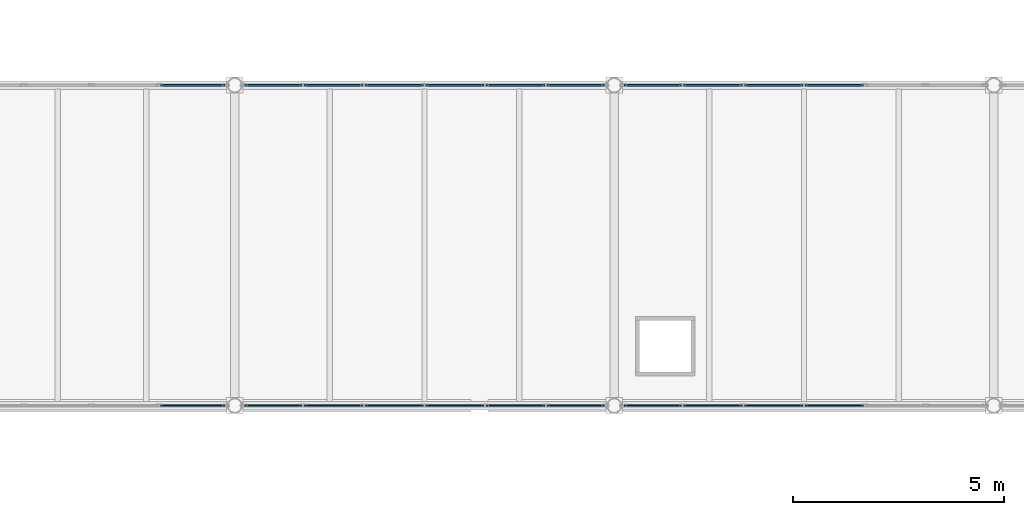
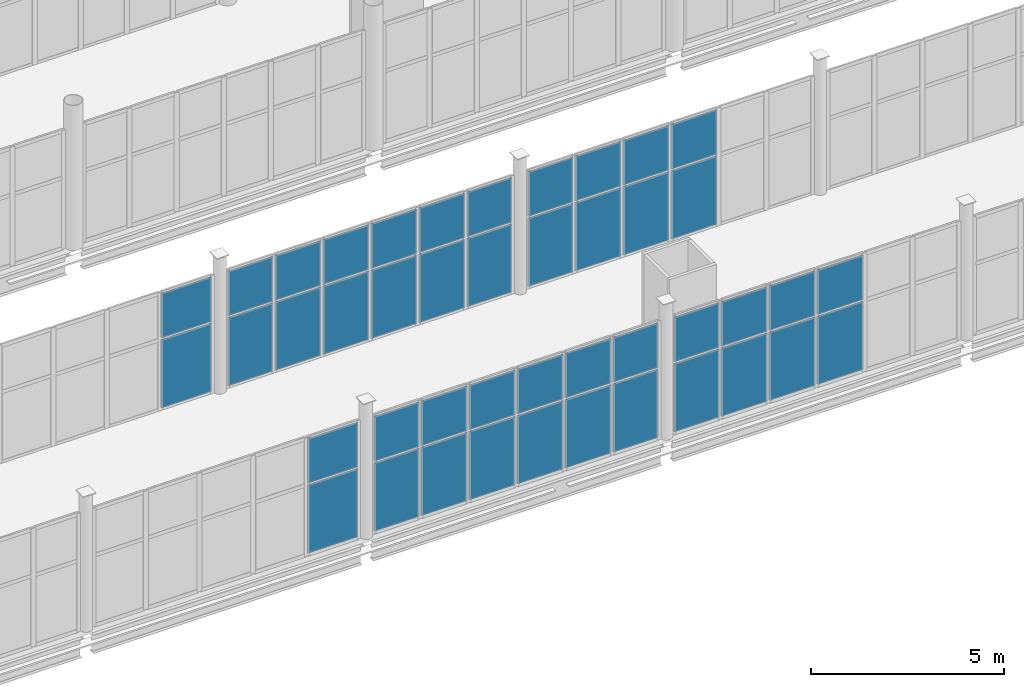
# One storey, part 132 of 172: 44 plates, 6 elements without a shape of their own.
"""IFC4 building model written with IfcOpenShell, lengths in metres."""

from ifc_helpers import new_model, si_unit, direction, frame, origin, origin_2d, place, context, subcontext, project, spatial, rectangle, extrude, material, layer, layer_set, type_object, element, aggregate, save


model = new_model("IFC4")

# Units and contexts
model_context = context("Model", 3, precision=1e-05, world=origin(), true_north=direction((0.0, 1.0)))
body_context = subcontext(model_context, "Body", "Model", "MODEL_VIEW")
ifc_project = project(units=[si_unit("LENGTHUNIT", "METRE"), si_unit("AREAUNIT", "SQUARE_METRE"), si_unit("VOLUMEUNIT", "CUBIC_METRE"), si_unit("PLANEANGLEUNIT", "RADIAN"), si_unit("MASSUNIT", "GRAM", prefix="KILO")], contexts=[model_context])

# Site, building, storey
site_placement = place(None, origin())
site = spatial("IfcSite", under=ifc_project, at=site_placement, CompositionType="ELEMENT")
building_placement = place(site_placement, origin())
building = spatial("IfcBuilding", under=site, at=building_placement, Name="Shengluoqiao Park Theatre", CompositionType="ELEMENT")
storey_placement = place(building_placement, frame((0.0, 0.0, 5.39990234375)))
storey = spatial("IfcBuildingStorey", under=building, at=storey_placement, Name="L01", CompositionType="ELEMENT", Elevation=5.39990234375)

# Curtain wall, plates
ifc_material_1 = material(Name="Aluminium 6063-T6", Category="aluminium")
curtain_wall_type = type_object("IfcCurtainWallType", Name="ENV-CW-BRIDGE", PredefinedType="NOTDEFINED", material=ifc_material_1)
curtain_wall_1_placement = place(storey_placement, origin())
curtain_wall_1 = element("IfcCurtainWall", 1, at=curtain_wall_1_placement, inside=storey, type_object=curtain_wall_type, Name="L01 Curtain Wall CWX-L01-0130", PredefinedType="NOTDEFINED")
ifc_material_2 = material(Name="Insulated glass", Category="glass")
ifc_layer = layer(ifc_material_2, 0.0380859375, Name="Insulated glass")
ifc_layer_set = layer_set([ifc_layer], Name="Insulated glass")
plate_type = type_object("IfcPlateType", Name="ENV-GLZ-GL-38", PredefinedType="CURTAIN_PANEL", material=ifc_layer_set)
plate_1_placement = place(storey_placement, frame((111.3994140625, 53.199951171875, 0.06005859375), z_axis=(0.0, 0.0, 1.0), x_axis=(1.0, 0.0, 0.0)))
plate_1 = element("IfcPlate", 2, at=plate_1_placement, type_object=plate_type, Name="CW-03 panel 5.1", PredefinedType="CURTAIN_PANEL", context=body_context, shape_type="SweptSolid", body=[
    extrude(rectangle(XDim=1.51708984375, YDim=0.0380859375, at=origin_2d()), origin(), (0.0, 0.0, 1.0), 2.160888671875),
])
plate_2_placement = place(storey_placement, frame((111.3994140625, 53.199951171875, 2.28125), z_axis=(0.0, 0.0, 1.0), x_axis=(1.0, 0.0, 0.0)))
plate_2 = element("IfcPlate", 3, at=plate_2_placement, type_object=plate_type, Name="CW-03 panel 5.2", PredefinedType="CURTAIN_PANEL", context=body_context, shape_type="SweptSolid", body=[
    extrude(rectangle(XDim=1.51708984375, YDim=0.0380859375, at=origin_2d()), origin(), (0.0, 0.0, 1.0), 1.410888671875),
])
aggregate(curtain_wall_1, [plate_1, plate_2])

curtain_wall_2_placement = place(storey_placement, origin())
curtain_wall_2 = element("IfcCurtainWall", 4, at=curtain_wall_2_placement, inside=storey, type_object=curtain_wall_type, Name="L01 Curtain Wall CWX-L01-0131", PredefinedType="NOTDEFINED")
plate_3_placement = place(storey_placement, frame((113.316650390625, 53.199951171875, 0.06005859375), z_axis=(0.0, 0.0, 1.0), x_axis=(1.0, 0.0, 0.0)))
plate_3 = element("IfcPlate", 5, at=plate_3_placement, type_object=plate_type, Name="CW-03 panel 1.1", PredefinedType="CURTAIN_PANEL", context=body_context, shape_type="SweptSolid", body=[
    extrude(rectangle(XDim=1.349365234375, YDim=0.0380859375, at=origin_2d()), origin(), (0.0, 0.0, 1.0), 2.160888671875),
])
plate_4_placement = place(storey_placement, frame((113.316650390625, 53.199951171875, 2.28125), z_axis=(0.0, 0.0, 1.0), x_axis=(1.0, 0.0, 0.0)))
plate_4 = element("IfcPlate", 6, at=plate_4_placement, type_object=plate_type, Name="CW-03 panel 1.2", PredefinedType="CURTAIN_PANEL", context=body_context, shape_type="SweptSolid", body=[
    extrude(rectangle(XDim=1.349365234375, YDim=0.0380859375, at=origin_2d()), origin(), (0.0, 0.0, 1.0), 1.410888671875),
])
plate_5_placement = place(storey_placement, frame((114.740966796875, 53.199951171875, 0.06005859375), z_axis=(0.0, 0.0, 1.0), x_axis=(1.0, 0.0, 0.0)))
plate_5 = element("IfcPlate", 7, at=plate_5_placement, type_object=plate_type, Name="CW-03 panel 2.1", PredefinedType="CURTAIN_PANEL", context=body_context, shape_type="SweptSolid", body=[
    extrude(rectangle(XDim=1.37939453125, YDim=0.0380859375, at=origin_2d()), origin(), (0.0, 0.0, 1.0), 2.160888671875),
])
plate_6_placement = place(storey_placement, frame((114.740966796875, 53.199951171875, 2.28125), z_axis=(0.0, 0.0, 1.0), x_axis=(1.0, 0.0, 0.0)))
plate_6 = element("IfcPlate", 8, at=plate_6_placement, type_object=plate_type, Name="CW-03 panel 2.2", PredefinedType="CURTAIN_PANEL", context=body_context, shape_type="SweptSolid", body=[
    extrude(rectangle(XDim=1.37939453125, YDim=0.0380859375, at=origin_2d()), origin(), (0.0, 0.0, 1.0), 1.410888671875),
])
plate_7_placement = place(storey_placement, frame((116.180419921875, 53.199951171875, 0.06005859375), z_axis=(0.0, 0.0, 1.0), x_axis=(1.0, 0.0, 0.0)))
plate_7 = element("IfcPlate", 9, at=plate_7_placement, type_object=plate_type, Name="CW-03 panel 3.1", PredefinedType="CURTAIN_PANEL", context=body_context, shape_type="SweptSolid", body=[
    extrude(rectangle(XDim=1.37939453125, YDim=0.0380859375, at=origin_2d()), origin(), (0.0, 0.0, 1.0), 2.160888671875),
])
plate_8_placement = place(storey_placement, frame((116.180419921875, 53.199951171875, 2.28125), z_axis=(0.0, 0.0, 1.0), x_axis=(1.0, 0.0, 0.0)))
plate_8 = element("IfcPlate", 10, at=plate_8_placement, type_object=plate_type, Name="CW-03 panel 3.2", PredefinedType="CURTAIN_PANEL", context=body_context, shape_type="SweptSolid", body=[
    extrude(rectangle(XDim=1.37939453125, YDim=0.0380859375, at=origin_2d()), origin(), (0.0, 0.0, 1.0), 1.410888671875),
])
plate_9_placement = place(storey_placement, frame((117.61962890625, 53.199951171875, 0.06005859375), z_axis=(0.0, 0.0, 1.0), x_axis=(1.0, 0.0, 0.0)))
plate_9 = element("IfcPlate", 11, at=plate_9_placement, type_object=plate_type, Name="CW-03 panel 4.1", PredefinedType="CURTAIN_PANEL", context=body_context, shape_type="SweptSolid", body=[
    extrude(rectangle(XDim=1.37939453125, YDim=0.0380859375, at=origin_2d()), origin(), (0.0, 0.0, 1.0), 2.160888671875),
])
plate_10_placement = place(storey_placement, frame((117.61962890625, 53.199951171875, 2.28125), z_axis=(0.0, 0.0, 1.0), x_axis=(1.0, 0.0, 0.0)))
plate_10 = element("IfcPlate", 12, at=plate_10_placement, type_object=plate_type, Name="CW-03 panel 4.2", PredefinedType="CURTAIN_PANEL", context=body_context, shape_type="SweptSolid", body=[
    extrude(rectangle(XDim=1.37939453125, YDim=0.0380859375, at=origin_2d()), origin(), (0.0, 0.0, 1.0), 1.410888671875),
])
plate_11_placement = place(storey_placement, frame((119.05908203125, 53.199951171875, 0.06005859375), z_axis=(0.0, 0.0, 1.0), x_axis=(1.0, 0.0, 0.0)))
plate_11 = element("IfcPlate", 13, at=plate_11_placement, type_object=plate_type, Name="CW-03 panel 5.1", PredefinedType="CURTAIN_PANEL", context=body_context, shape_type="SweptSolid", body=[
    extrude(rectangle(XDim=1.37939453125, YDim=0.0380859375, at=origin_2d()), origin(), (0.0, 0.0, 1.0), 2.160888671875),
])
plate_12_placement = place(storey_placement, frame((119.05908203125, 53.199951171875, 2.28125), z_axis=(0.0, 0.0, 1.0), x_axis=(1.0, 0.0, 0.0)))
plate_12 = element("IfcPlate", 14, at=plate_12_placement, type_object=plate_type, Name="CW-03 panel 5.2", PredefinedType="CURTAIN_PANEL", context=body_context, shape_type="SweptSolid", body=[
    extrude(rectangle(XDim=1.37939453125, YDim=0.0380859375, at=origin_2d()), origin(), (0.0, 0.0, 1.0), 1.410888671875),
])
plate_13_placement = place(storey_placement, frame((120.4833984375, 53.199951171875, 0.06005859375), z_axis=(0.0, 0.0, 1.0), x_axis=(1.0, 0.0, 0.0)))
plate_13 = element("IfcPlate", 15, at=plate_13_placement, type_object=plate_type, Name="CW-03 panel 6.1", PredefinedType="CURTAIN_PANEL", context=body_context, shape_type="SweptSolid", body=[
    extrude(rectangle(XDim=1.349365234375, YDim=0.0380859375, at=origin_2d()), origin(), (0.0, 0.0, 1.0), 2.160888671875),
])
plate_14_placement = place(storey_placement, frame((120.4833984375, 53.199951171875, 2.28125), z_axis=(0.0, 0.0, 1.0), x_axis=(1.0, 0.0, 0.0)))
plate_14 = element("IfcPlate", 16, at=plate_14_placement, type_object=plate_type, Name="CW-03 panel 6.2", PredefinedType="CURTAIN_PANEL", context=body_context, shape_type="SweptSolid", body=[
    extrude(rectangle(XDim=1.349365234375, YDim=0.0380859375, at=origin_2d()), origin(), (0.0, 0.0, 1.0), 1.410888671875),
])
aggregate(curtain_wall_2, [plate_3, plate_4, plate_5, plate_6, plate_7, plate_8, plate_9, plate_10, plate_11, plate_12, plate_13, plate_14])

curtain_wall_3_placement = place(storey_placement, origin())
curtain_wall_3 = element("IfcCurtainWall", 17, at=curtain_wall_3_placement, inside=storey, type_object=curtain_wall_type, Name="L01 Curtain Wall CWX-L01-0132", PredefinedType="NOTDEFINED")
plate_15_placement = place(storey_placement, frame((122.316650390625, 53.199951171875, 0.06005859375), z_axis=(0.0, 0.0, 1.0), x_axis=(1.0, 0.0, 0.0)))
plate_15 = element("IfcPlate", 18, at=plate_15_placement, type_object=plate_type, Name="CW-03 panel 1.1", PredefinedType="CURTAIN_PANEL", context=body_context, shape_type="SweptSolid", body=[
    extrude(rectangle(XDim=1.349365234375, YDim=0.0380859375, at=origin_2d()), origin(), (0.0, 0.0, 1.0), 2.160888671875),
])
plate_16_placement = place(storey_placement, frame((122.316650390625, 53.199951171875, 2.28125), z_axis=(0.0, 0.0, 1.0), x_axis=(1.0, 0.0, 0.0)))
plate_16 = element("IfcPlate", 19, at=plate_16_placement, type_object=plate_type, Name="CW-03 panel 1.2", PredefinedType="CURTAIN_PANEL", context=body_context, shape_type="SweptSolid", body=[
    extrude(rectangle(XDim=1.349365234375, YDim=0.0380859375, at=origin_2d()), origin(), (0.0, 0.0, 1.0), 1.410888671875),
])
plate_17_placement = place(storey_placement, frame((123.740966796875, 53.199951171875, 0.06005859375), z_axis=(0.0, 0.0, 1.0), x_axis=(1.0, 0.0, 0.0)))
plate_17 = element("IfcPlate", 20, at=plate_17_placement, type_object=plate_type, Name="CW-03 panel 2.1", PredefinedType="CURTAIN_PANEL", context=body_context, shape_type="SweptSolid", body=[
    extrude(rectangle(XDim=1.37939453125, YDim=0.0380859375, at=origin_2d()), origin(), (0.0, 0.0, 1.0), 2.160888671875),
])
plate_18_placement = place(storey_placement, frame((123.740966796875, 53.199951171875, 2.28125), z_axis=(0.0, 0.0, 1.0), x_axis=(1.0, 0.0, 0.0)))
plate_18 = element("IfcPlate", 21, at=plate_18_placement, type_object=plate_type, Name="CW-03 panel 2.2", PredefinedType="CURTAIN_PANEL", context=body_context, shape_type="SweptSolid", body=[
    extrude(rectangle(XDim=1.37939453125, YDim=0.0380859375, at=origin_2d()), origin(), (0.0, 0.0, 1.0), 1.410888671875),
])
plate_19_placement = place(storey_placement, frame((125.180419921875, 53.199951171875, 0.06005859375), z_axis=(0.0, 0.0, 1.0), x_axis=(1.0, 0.0, 0.0)))
plate_19 = element("IfcPlate", 22, at=plate_19_placement, type_object=plate_type, Name="CW-03 panel 3.1", PredefinedType="CURTAIN_PANEL", context=body_context, shape_type="SweptSolid", body=[
    extrude(rectangle(XDim=1.37939453125, YDim=0.0380859375, at=origin_2d()), origin(), (0.0, 0.0, 1.0), 2.160888671875),
])
plate_20_placement = place(storey_placement, frame((125.180419921875, 53.199951171875, 2.28125), z_axis=(0.0, 0.0, 1.0), x_axis=(1.0, 0.0, 0.0)))
plate_20 = element("IfcPlate", 23, at=plate_20_placement, type_object=plate_type, Name="CW-03 panel 3.2", PredefinedType="CURTAIN_PANEL", context=body_context, shape_type="SweptSolid", body=[
    extrude(rectangle(XDim=1.37939453125, YDim=0.0380859375, at=origin_2d()), origin(), (0.0, 0.0, 1.0), 1.410888671875),
])
plate_21_placement = place(storey_placement, frame((126.61962890625, 53.199951171875, 0.06005859375), z_axis=(0.0, 0.0, 1.0), x_axis=(1.0, 0.0, 0.0)))
plate_21 = element("IfcPlate", 24, at=plate_21_placement, type_object=plate_type, Name="CW-03 panel 4.1", PredefinedType="CURTAIN_PANEL", context=body_context, shape_type="SweptSolid", body=[
    extrude(rectangle(XDim=1.37939453125, YDim=0.0380859375, at=origin_2d()), origin(), (0.0, 0.0, 1.0), 2.160888671875),
])
plate_22_placement = place(storey_placement, frame((126.61962890625, 53.199951171875, 2.28125), z_axis=(0.0, 0.0, 1.0), x_axis=(1.0, 0.0, 0.0)))
plate_22 = element("IfcPlate", 25, at=plate_22_placement, type_object=plate_type, Name="CW-03 panel 4.2", PredefinedType="CURTAIN_PANEL", context=body_context, shape_type="SweptSolid", body=[
    extrude(rectangle(XDim=1.37939453125, YDim=0.0380859375, at=origin_2d()), origin(), (0.0, 0.0, 1.0), 1.410888671875),
])
aggregate(curtain_wall_3, [plate_15, plate_16, plate_17, plate_18, plate_19, plate_20, plate_21, plate_22])

curtain_wall_4_placement = place(storey_placement, origin())
curtain_wall_4 = element("IfcCurtainWall", 26, at=curtain_wall_4_placement, inside=storey, type_object=curtain_wall_type, Name="L01 Curtain Wall CWX-L01-0143", PredefinedType="NOTDEFINED")
plate_23_placement = place(storey_placement, frame((111.3994140625, 60.800048828125, 0.06005859375), z_axis=(0.0, 0.0, 1.0), x_axis=(1.0, 0.0, 0.0)))
plate_23 = element("IfcPlate", 27, at=plate_23_placement, type_object=plate_type, Name="CW-03 panel 5.1", PredefinedType="CURTAIN_PANEL", context=body_context, shape_type="SweptSolid", body=[
    extrude(rectangle(XDim=1.51708984375, YDim=0.0380859375, at=origin_2d()), origin(), (0.0, 0.0, 1.0), 2.160888671875),
])
plate_24_placement = place(storey_placement, frame((111.3994140625, 60.800048828125, 2.28125), z_axis=(0.0, 0.0, 1.0), x_axis=(1.0, 0.0, 0.0)))
plate_24 = element("IfcPlate", 28, at=plate_24_placement, type_object=plate_type, Name="CW-03 panel 5.2", PredefinedType="CURTAIN_PANEL", context=body_context, shape_type="SweptSolid", body=[
    extrude(rectangle(XDim=1.51708984375, YDim=0.0380859375, at=origin_2d()), origin(), (0.0, 0.0, 1.0), 1.410888671875),
])
aggregate(curtain_wall_4, [plate_23, plate_24])

curtain_wall_5_placement = place(storey_placement, origin())
curtain_wall_5 = element("IfcCurtainWall", 29, at=curtain_wall_5_placement, inside=storey, type_object=curtain_wall_type, Name="L01 Curtain Wall CWX-L01-0144", PredefinedType="NOTDEFINED")
plate_25_placement = place(storey_placement, frame((113.316650390625, 60.800048828125, 0.06005859375), z_axis=(0.0, 0.0, 1.0), x_axis=(1.0, 0.0, 0.0)))
plate_25 = element("IfcPlate", 30, at=plate_25_placement, type_object=plate_type, Name="CW-03 panel 1.1", PredefinedType="CURTAIN_PANEL", context=body_context, shape_type="SweptSolid", body=[
    extrude(rectangle(XDim=1.349365234375, YDim=0.0380859375, at=origin_2d()), origin(), (0.0, 0.0, 1.0), 2.160888671875),
])
plate_26_placement = place(storey_placement, frame((113.316650390625, 60.800048828125, 2.28125), z_axis=(0.0, 0.0, 1.0), x_axis=(1.0, 0.0, 0.0)))
plate_26 = element("IfcPlate", 31, at=plate_26_placement, type_object=plate_type, Name="CW-03 panel 1.2", PredefinedType="CURTAIN_PANEL", context=body_context, shape_type="SweptSolid", body=[
    extrude(rectangle(XDim=1.349365234375, YDim=0.0380859375, at=origin_2d()), origin(), (0.0, 0.0, 1.0), 1.410888671875),
])
plate_27_placement = place(storey_placement, frame((114.740966796875, 60.800048828125, 0.06005859375), z_axis=(0.0, 0.0, 1.0), x_axis=(1.0, 0.0, 0.0)))
plate_27 = element("IfcPlate", 32, at=plate_27_placement, type_object=plate_type, Name="CW-03 panel 2.1", PredefinedType="CURTAIN_PANEL", context=body_context, shape_type="SweptSolid", body=[
    extrude(rectangle(XDim=1.37939453125, YDim=0.0380859375, at=origin_2d()), origin(), (0.0, 0.0, 1.0), 2.160888671875),
])
plate_28_placement = place(storey_placement, frame((114.740966796875, 60.800048828125, 2.28125), z_axis=(0.0, 0.0, 1.0), x_axis=(1.0, 0.0, 0.0)))
plate_28 = element("IfcPlate", 33, at=plate_28_placement, type_object=plate_type, Name="CW-03 panel 2.2", PredefinedType="CURTAIN_PANEL", context=body_context, shape_type="SweptSolid", body=[
    extrude(rectangle(XDim=1.37939453125, YDim=0.0380859375, at=origin_2d()), origin(), (0.0, 0.0, 1.0), 1.410888671875),
])
plate_29_placement = place(storey_placement, frame((116.180419921875, 60.800048828125, 0.06005859375), z_axis=(0.0, 0.0, 1.0), x_axis=(1.0, 0.0, 0.0)))
plate_29 = element("IfcPlate", 34, at=plate_29_placement, type_object=plate_type, Name="CW-03 panel 3.1", PredefinedType="CURTAIN_PANEL", context=body_context, shape_type="SweptSolid", body=[
    extrude(rectangle(XDim=1.37939453125, YDim=0.0380859375, at=origin_2d()), origin(), (0.0, 0.0, 1.0), 2.160888671875),
])
plate_30_placement = place(storey_placement, frame((116.180419921875, 60.800048828125, 2.28125), z_axis=(0.0, 0.0, 1.0), x_axis=(1.0, 0.0, 0.0)))
plate_30 = element("IfcPlate", 35, at=plate_30_placement, type_object=plate_type, Name="CW-03 panel 3.2", PredefinedType="CURTAIN_PANEL", context=body_context, shape_type="SweptSolid", body=[
    extrude(rectangle(XDim=1.37939453125, YDim=0.0380859375, at=origin_2d()), origin(), (0.0, 0.0, 1.0), 1.410888671875),
])
plate_31_placement = place(storey_placement, frame((117.61962890625, 60.800048828125, 0.06005859375), z_axis=(0.0, 0.0, 1.0), x_axis=(1.0, 0.0, 0.0)))
plate_31 = element("IfcPlate", 36, at=plate_31_placement, type_object=plate_type, Name="CW-03 panel 4.1", PredefinedType="CURTAIN_PANEL", context=body_context, shape_type="SweptSolid", body=[
    extrude(rectangle(XDim=1.37939453125, YDim=0.0380859375, at=origin_2d()), origin(), (0.0, 0.0, 1.0), 2.160888671875),
])
plate_32_placement = place(storey_placement, frame((117.61962890625, 60.800048828125, 2.28125), z_axis=(0.0, 0.0, 1.0), x_axis=(1.0, 0.0, 0.0)))
plate_32 = element("IfcPlate", 37, at=plate_32_placement, type_object=plate_type, Name="CW-03 panel 4.2", PredefinedType="CURTAIN_PANEL", context=body_context, shape_type="SweptSolid", body=[
    extrude(rectangle(XDim=1.37939453125, YDim=0.0380859375, at=origin_2d()), origin(), (0.0, 0.0, 1.0), 1.410888671875),
])
plate_33_placement = place(storey_placement, frame((119.05908203125, 60.800048828125, 0.06005859375), z_axis=(0.0, 0.0, 1.0), x_axis=(1.0, 0.0, 0.0)))
plate_33 = element("IfcPlate", 38, at=plate_33_placement, type_object=plate_type, Name="CW-03 panel 5.1", PredefinedType="CURTAIN_PANEL", context=body_context, shape_type="SweptSolid", body=[
    extrude(rectangle(XDim=1.37939453125, YDim=0.0380859375, at=origin_2d()), origin(), (0.0, 0.0, 1.0), 2.160888671875),
])
plate_34_placement = place(storey_placement, frame((119.05908203125, 60.800048828125, 2.28125), z_axis=(0.0, 0.0, 1.0), x_axis=(1.0, 0.0, 0.0)))
plate_34 = element("IfcPlate", 39, at=plate_34_placement, type_object=plate_type, Name="CW-03 panel 5.2", PredefinedType="CURTAIN_PANEL", context=body_context, shape_type="SweptSolid", body=[
    extrude(rectangle(XDim=1.37939453125, YDim=0.0380859375, at=origin_2d()), origin(), (0.0, 0.0, 1.0), 1.410888671875),
])
plate_35_placement = place(storey_placement, frame((120.4833984375, 60.800048828125, 0.06005859375), z_axis=(0.0, 0.0, 1.0), x_axis=(1.0, 0.0, 0.0)))
plate_35 = element("IfcPlate", 40, at=plate_35_placement, type_object=plate_type, Name="CW-03 panel 6.1", PredefinedType="CURTAIN_PANEL", context=body_context, shape_type="SweptSolid", body=[
    extrude(rectangle(XDim=1.349365234375, YDim=0.0380859375, at=origin_2d()), origin(), (0.0, 0.0, 1.0), 2.160888671875),
])
plate_36_placement = place(storey_placement, frame((120.4833984375, 60.800048828125, 2.28125), z_axis=(0.0, 0.0, 1.0), x_axis=(1.0, 0.0, 0.0)))
plate_36 = element("IfcPlate", 41, at=plate_36_placement, type_object=plate_type, Name="CW-03 panel 6.2", PredefinedType="CURTAIN_PANEL", context=body_context, shape_type="SweptSolid", body=[
    extrude(rectangle(XDim=1.349365234375, YDim=0.0380859375, at=origin_2d()), origin(), (0.0, 0.0, 1.0), 1.410888671875),
])
aggregate(curtain_wall_5, [plate_25, plate_26, plate_27, plate_28, plate_29, plate_30, plate_31, plate_32, plate_33, plate_34, plate_35, plate_36])

curtain_wall_6_placement = place(storey_placement, origin())
curtain_wall_6 = element("IfcCurtainWall", 42, at=curtain_wall_6_placement, inside=storey, type_object=curtain_wall_type, Name="L01 Curtain Wall CWX-L01-0145", PredefinedType="NOTDEFINED")
plate_37_placement = place(storey_placement, frame((122.316650390625, 60.800048828125, 0.06005859375), z_axis=(0.0, 0.0, 1.0), x_axis=(1.0, 0.0, 0.0)))
plate_37 = element("IfcPlate", 43, at=plate_37_placement, type_object=plate_type, Name="CW-03 panel 1.1", PredefinedType="CURTAIN_PANEL", context=body_context, shape_type="SweptSolid", body=[
    extrude(rectangle(XDim=1.349365234375, YDim=0.0380859375, at=origin_2d()), origin(), (0.0, 0.0, 1.0), 2.160888671875),
])
plate_38_placement = place(storey_placement, frame((122.316650390625, 60.800048828125, 2.28125), z_axis=(0.0, 0.0, 1.0), x_axis=(1.0, 0.0, 0.0)))
plate_38 = element("IfcPlate", 44, at=plate_38_placement, type_object=plate_type, Name="CW-03 panel 1.2", PredefinedType="CURTAIN_PANEL", context=body_context, shape_type="SweptSolid", body=[
    extrude(rectangle(XDim=1.349365234375, YDim=0.0380859375, at=origin_2d()), origin(), (0.0, 0.0, 1.0), 1.410888671875),
])
plate_39_placement = place(storey_placement, frame((123.740966796875, 60.800048828125, 0.06005859375), z_axis=(0.0, 0.0, 1.0), x_axis=(1.0, 0.0, 0.0)))
plate_39 = element("IfcPlate", 45, at=plate_39_placement, type_object=plate_type, Name="CW-03 panel 2.1", PredefinedType="CURTAIN_PANEL", context=body_context, shape_type="SweptSolid", body=[
    extrude(rectangle(XDim=1.37939453125, YDim=0.0380859375, at=origin_2d()), origin(), (0.0, 0.0, 1.0), 2.160888671875),
])
plate_40_placement = place(storey_placement, frame((123.740966796875, 60.800048828125, 2.28125), z_axis=(0.0, 0.0, 1.0), x_axis=(1.0, 0.0, 0.0)))
plate_40 = element("IfcPlate", 46, at=plate_40_placement, type_object=plate_type, Name="CW-03 panel 2.2", PredefinedType="CURTAIN_PANEL", context=body_context, shape_type="SweptSolid", body=[
    extrude(rectangle(XDim=1.37939453125, YDim=0.0380859375, at=origin_2d()), origin(), (0.0, 0.0, 1.0), 1.410888671875),
])
plate_41_placement = place(storey_placement, frame((125.180419921875, 60.800048828125, 0.06005859375), z_axis=(0.0, 0.0, 1.0), x_axis=(1.0, 0.0, 0.0)))
plate_41 = element("IfcPlate", 47, at=plate_41_placement, type_object=plate_type, Name="CW-03 panel 3.1", PredefinedType="CURTAIN_PANEL", context=body_context, shape_type="SweptSolid", body=[
    extrude(rectangle(XDim=1.37939453125, YDim=0.0380859375, at=origin_2d()), origin(), (0.0, 0.0, 1.0), 2.160888671875),
])
plate_42_placement = place(storey_placement, frame((125.180419921875, 60.800048828125, 2.28125), z_axis=(0.0, 0.0, 1.0), x_axis=(1.0, 0.0, 0.0)))
plate_42 = element("IfcPlate", 48, at=plate_42_placement, type_object=plate_type, Name="CW-03 panel 3.2", PredefinedType="CURTAIN_PANEL", context=body_context, shape_type="SweptSolid", body=[
    extrude(rectangle(XDim=1.37939453125, YDim=0.0380859375, at=origin_2d()), origin(), (0.0, 0.0, 1.0), 1.410888671875),
])
plate_43_placement = place(storey_placement, frame((126.61962890625, 60.800048828125, 0.06005859375), z_axis=(0.0, 0.0, 1.0), x_axis=(1.0, 0.0, 0.0)))
plate_43 = element("IfcPlate", 49, at=plate_43_placement, type_object=plate_type, Name="CW-03 panel 4.1", PredefinedType="CURTAIN_PANEL", context=body_context, shape_type="SweptSolid", body=[
    extrude(rectangle(XDim=1.37939453125, YDim=0.0380859375, at=origin_2d()), origin(), (0.0, 0.0, 1.0), 2.160888671875),
])
plate_44_placement = place(storey_placement, frame((126.61962890625, 60.800048828125, 2.28125), z_axis=(0.0, 0.0, 1.0), x_axis=(1.0, 0.0, 0.0)))
plate_44 = element("IfcPlate", 50, at=plate_44_placement, type_object=plate_type, Name="CW-03 panel 4.2", PredefinedType="CURTAIN_PANEL", context=body_context, shape_type="SweptSolid", body=[
    extrude(rectangle(XDim=1.37939453125, YDim=0.0380859375, at=origin_2d()), origin(), (0.0, 0.0, 1.0), 1.410888671875),
])
aggregate(curtain_wall_6, [plate_37, plate_38, plate_39, plate_40, plate_41, plate_42, plate_43, plate_44])

save(model, "model.ifc")
